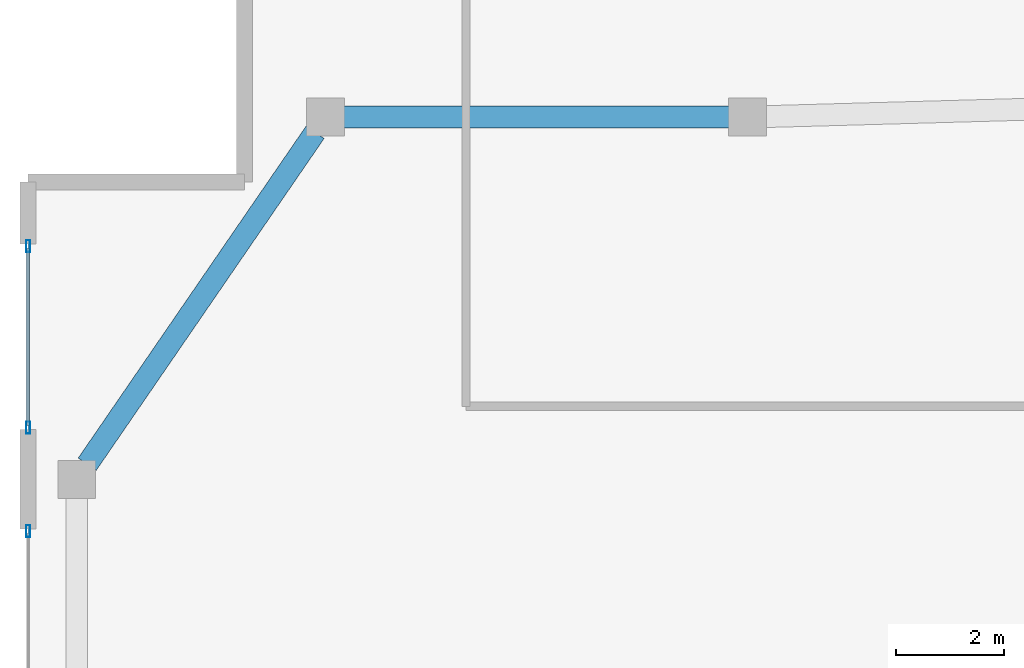
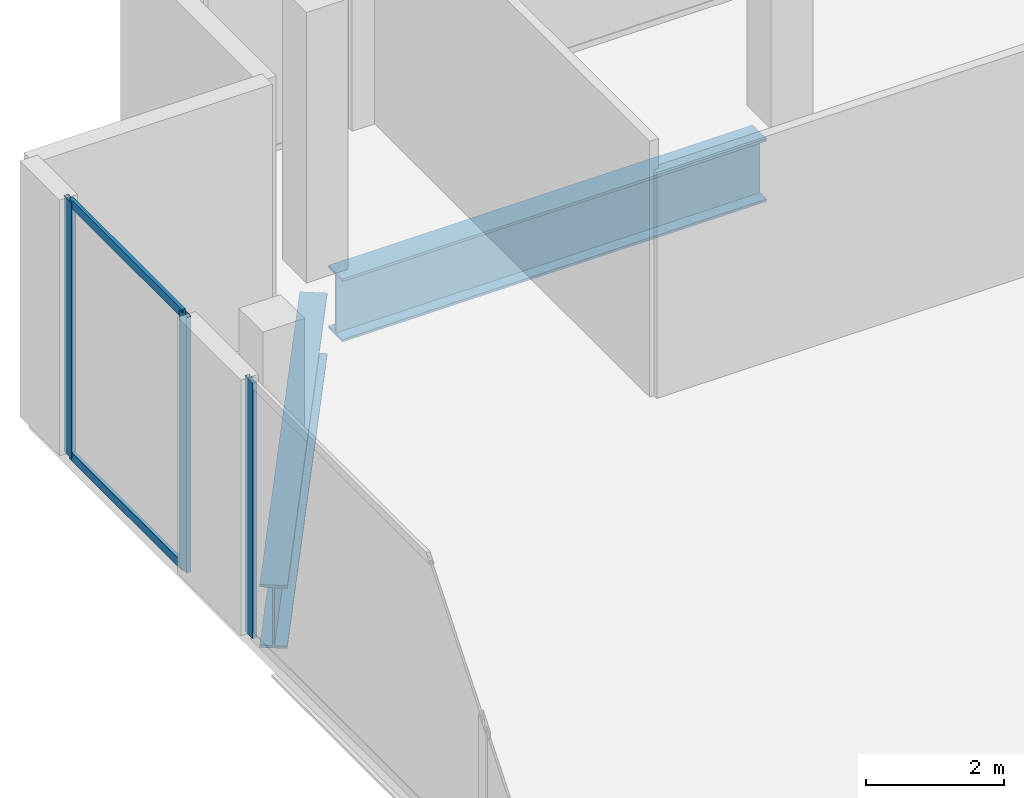
# One storey, part 14 of 33: 5 members, 2 beams, 2 elements without a shape of their own.
"""IFC4 building model written with IfcOpenShell, lengths in metres."""

from ifc_helpers import new_model, si_unit, direction, frame, origin, origin_2d, place, context, subcontext, project, spatial, hollow_rectangle, i_section, extrude, material, layer, layer_set, material_profile, profile_set, type_object, element, aggregate, save


model = new_model("IFC4")

# Units and contexts
model_context = context("Model", 3, precision=1e-05, world=origin(), true_north=direction((0.0, 1.0)))
body_context = subcontext(model_context, "Body", "Model", "MODEL_VIEW")
ifc_project = project(units=[si_unit("LENGTHUNIT", "METRE"), si_unit("AREAUNIT", "SQUARE_METRE"), si_unit("VOLUMEUNIT", "CUBIC_METRE"), si_unit("PLANEANGLEUNIT", "RADIAN"), si_unit("MASSUNIT", "GRAM", prefix="KILO")], contexts=[model_context])

# Site, building, storey
site_placement = place(None, origin())
site = spatial("IfcSite", under=ifc_project, at=site_placement, CompositionType="ELEMENT")
building_placement = place(site_placement, origin())
building = spatial("IfcBuilding", under=site, at=building_placement, Name="Zuhayl Quay Hotel", CompositionType="ELEMENT")
storey_placement = place(building_placement, frame((0.0, 0.0, 18.0)))
storey = spatial("IfcBuildingStorey", under=building, at=storey_placement, Name="L03", CompositionType="ELEMENT", Elevation=18.0)

# Beams
ifc_material_1 = material(Name="Steel ASTM A913 Grade 65", Category="steel")
ifc_material_profile_1 = material_profile(ifc_material_1, i_section(OverallWidth=0.404052734375, OverallDepth=1.117919921875, WebThickness=0.026123046875, FlangeThickness=0.044921875, at=origin_2d()), Name="W44X335")
ifc_profile_set_1 = profile_set([ifc_material_profile_1], Name="Steel ASTM A913 Grade 65")
beam_type = type_object("IfcBeamType", Name="BM_TG1_W44X335", PredefinedType="BEAM", material=ifc_profile_set_1)
beam_1_placement = place(storey_placement, frame((-30.159912109375, 22.199951171875, -0.819091796875), z_axis=(1.0, 0.0, 0.0), x_axis=(0.0, 1.0, 0.0)))
element("IfcBeam", 1, at=beam_1_placement, inside=storey, type_object=beam_type, Name="L03 Floor Beam PG_N_L03_0", PredefinedType="BEAM", context=body_context, shape_type="SweptSolid", body=[
    extrude(i_section(OverallWidth=0.404052734375, OverallDepth=1.117919921875, WebThickness=0.026123046875, FlangeThickness=0.044921875, at=origin_2d()), origin(), (0.0, 0.0, 1.0), 7.119873046875),
])
beam_2_placement = place(storey_placement, frame((-34.90771484375, 15.7802734375, -0.819091796875), z_axis=(0.566026455068, 0.824387076659, 0.0), x_axis=(-0.824387076659, 0.566026455068, 0.0)))
element("IfcBeam", 2, at=beam_2_placement, inside=storey, type_object=beam_type, Name="L03 Floor Beam PG_W_L03_3", PredefinedType="BEAM", context=body_context, shape_type="SweptSolid", body=[
    extrude(i_section(OverallWidth=0.404052734375, OverallDepth=1.117919921875, WebThickness=0.026123046875, FlangeThickness=0.044921875, at=origin_2d()), origin(), (0.0, 0.0, 1.0), 7.447265625),
])

# Curtain wall, member
ifc_material_2 = material(Name="Anodised Aluminium 6063-T6", Category="aluminium")
ifc_layer = layer(ifc_material_2, 0.199951171875, Name="Anodised Aluminium 6063-T6", Category="aluminium")
ifc_layer_set = layer_set([ifc_layer], Name="Anodised Aluminium 6063-T6")
curtain_wall_type = type_object("IfcCurtainWallType", Name="CW_SYS_POD", PredefinedType="USERDEFINED", material=ifc_layer_set)
curtain_wall_1_placement = place(storey_placement, origin())
curtain_wall_1 = element("IfcCurtainWall", 3, at=curtain_wall_1_placement, inside=storey, type_object=curtain_wall_type, Name="L03 Curtain Wall ENV_L03_E02_CW3", ObjectType="UNITISED CURTAIN WALL", PredefinedType="USERDEFINED")
ifc_material_3 = material(Name="Black-anodised aluminium 6063-T6", Category="aluminium")
ifc_material_profile_2 = material_profile(ifc_material_3, hollow_rectangle(XDim=0.074951171875, YDim=0.219970703125, WallThickness=0.00390625, at=origin_2d()), Name="ALU220X75")
ifc_profile_set_2 = profile_set([ifc_material_profile_2], Name="Black-anodised aluminium 6063-T6")
member_type_1 = type_object("IfcMemberType", Name="MB_CW_MUL_220", PredefinedType="MULLION", material=ifc_profile_set_2)
member_1_placement = place(storey_placement, frame((-36.0, 14.54248046875, 0.0), z_axis=(0.0, 0.0, 1.0), x_axis=(-1.0, 0.0, 0.0)))
member_1 = element("IfcMember", 4, at=member_1_placement, type_object=member_type_1, Name="CW-POD mullion 3", PredefinedType="MULLION", context=body_context, shape_type="SweptSolid", body=[
    extrude(hollow_rectangle(XDim=0.074951171875, YDim=0.219970703125, WallThickness=0.00390625, at=origin_2d()), origin(), (0.0, 0.0, 1.0), 4.5400390625),
])
aggregate(curtain_wall_1, [member_1])

# Curtain wall, members
curtain_wall_2_placement = place(storey_placement, origin())
curtain_wall_2 = element("IfcCurtainWall", 5, at=curtain_wall_2_placement, inside=storey, type_object=curtain_wall_type, Name="L03 Curtain Wall ENV_L03_E02_CW4", ObjectType="UNITISED CURTAIN WALL", PredefinedType="USERDEFINED")
member_2_placement = place(storey_placement, frame((-36.0, 16.45751953125, 0.0), z_axis=(0.0, 0.0, 1.0), x_axis=(-1.0, 0.0, 0.0)))
member_2 = element("IfcMember", 6, at=member_2_placement, type_object=member_type_1, Name="CW-POD mullion 1", PredefinedType="MULLION", context=body_context, shape_type="SweptSolid", body=[
    extrude(hollow_rectangle(XDim=0.074951171875, YDim=0.219970703125, WallThickness=0.00390625, at=origin_2d()), origin(), (0.0, 0.0, 1.0), 4.5400390625),
])
member_3_placement = place(storey_placement, frame((-36.0, 19.8125, 0.0), z_axis=(0.0, 0.0, 1.0), x_axis=(-1.0, 0.0, 0.0)))
member_3 = element("IfcMember", 7, at=member_3_placement, type_object=member_type_1, Name="CW-POD mullion 2", PredefinedType="MULLION", context=body_context, shape_type="SweptSolid", body=[
    extrude(hollow_rectangle(XDim=0.074951171875, YDim=0.219970703125, WallThickness=0.00390625, at=origin_2d()), origin(), (0.0, 0.0, 1.0), 4.5400390625),
])
ifc_material_profile_3 = material_profile(ifc_material_3, hollow_rectangle(XDim=0.06005859375, YDim=0.14990234375, WallThickness=0.00341796875, at=origin_2d()), Name="ALU150X60")
ifc_profile_set_3 = profile_set([ifc_material_profile_3], Name="Black-anodised aluminium 6063-T6")
member_type_2 = type_object("IfcMemberType", Name="MB_CW_TRN_150", PredefinedType="USERDEFINED", material=ifc_profile_set_3)
member_4_placement = place(storey_placement, frame((-36.0, 16.4951171875, 0.030029296875), z_axis=(0.0, 1.0, 0.0), x_axis=(-1.0, 0.0, 0.0)))
member_4 = element("IfcMember", 8, at=member_4_placement, type_object=member_type_2, Name="CW-POD transom 1.1", ObjectType="TRANSOM", PredefinedType="USERDEFINED", context=body_context, shape_type="SweptSolid", body=[
    extrude(hollow_rectangle(XDim=0.06005859375, YDim=0.14990234375, WallThickness=0.00341796875, at=origin_2d()), origin(), (0.0, 0.0, 1.0), 3.27978515625),
])
member_5_placement = place(storey_placement, frame((-36.0, 16.4951171875, 4.510009765625), z_axis=(0.0, 1.0, 0.0), x_axis=(-1.0, 0.0, 0.0)))
member_5 = element("IfcMember", 9, at=member_5_placement, type_object=member_type_2, Name="CW-POD transom 1.2", ObjectType="TRANSOM", PredefinedType="USERDEFINED", context=body_context, shape_type="SweptSolid", body=[
    extrude(hollow_rectangle(XDim=0.06005859375, YDim=0.14990234375, WallThickness=0.00341796875, at=origin_2d()), origin(), (0.0, 0.0, 1.0), 3.27978515625),
])
aggregate(curtain_wall_2, [member_2, member_3, member_4, member_5])

save(model, "model.ifc")
